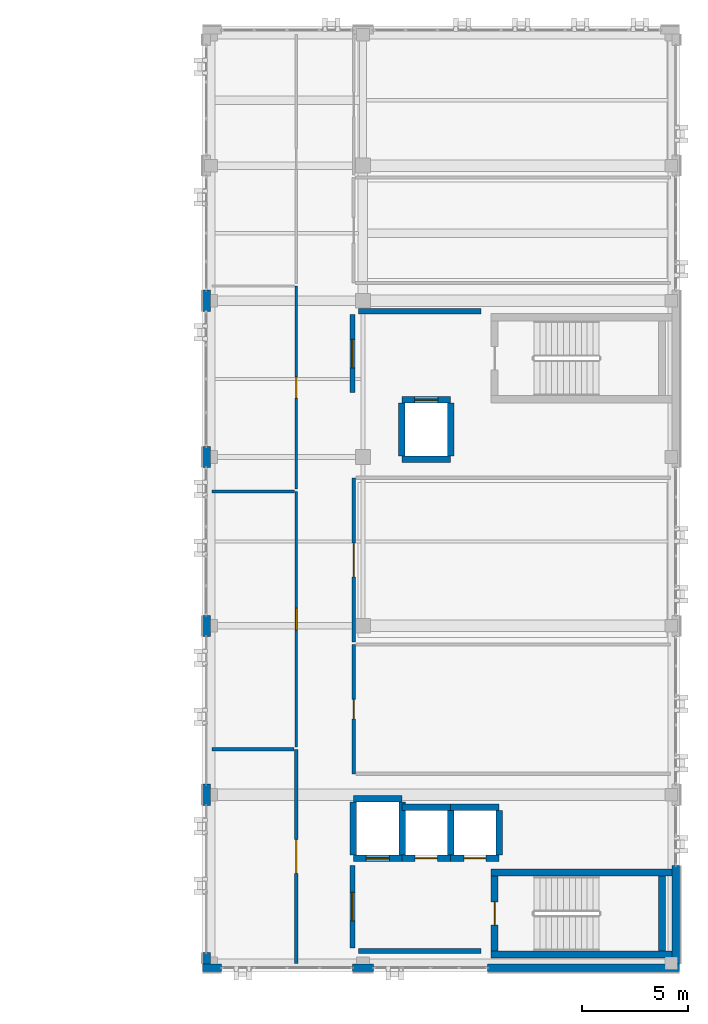
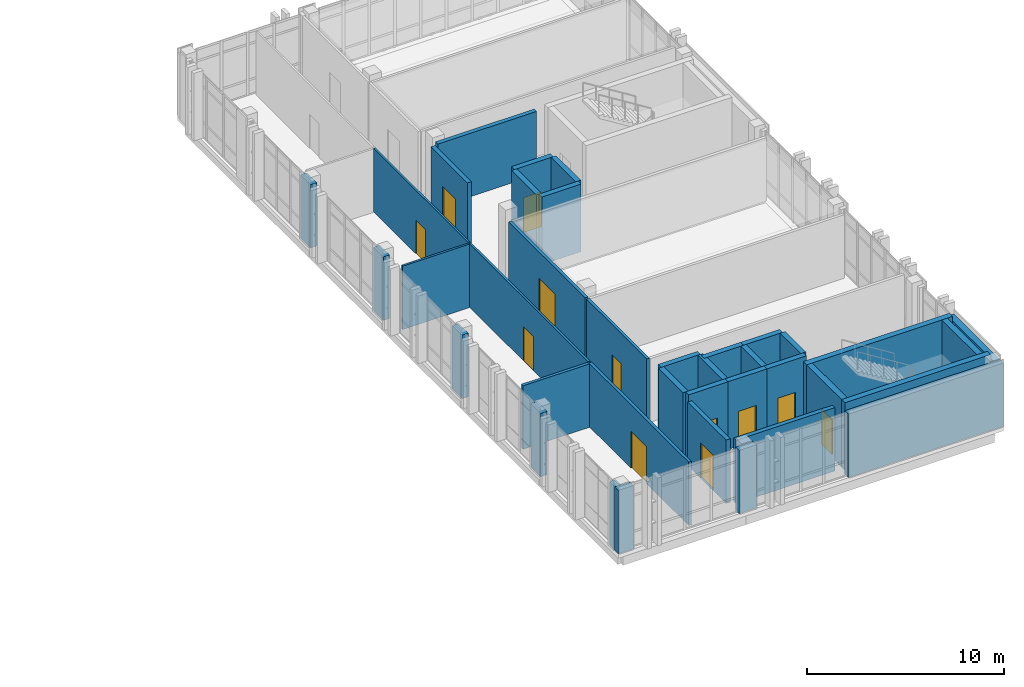
# One storey, part 61 of 77: 38 walls, 12 doors, 12 openings.
"""IFC4 building model written with IfcOpenShell, lengths in metres."""

from ifc_helpers import new_model, si_unit, direction, frame, frame_2d, origin, place, context, subcontext, project, spatial, rectangle, extrude, material, layer, layer_set, type_object, element, fill, save


model = new_model("IFC4")

# Units and contexts
model_context = context("Model", 3, precision=1e-05, world=origin(), true_north=direction((0.0, 1.0)))
body_context = subcontext(model_context, "Body", "Model", "MODEL_VIEW")
ifc_project = project(units=[si_unit("LENGTHUNIT", "METRE"), si_unit("AREAUNIT", "SQUARE_METRE"), si_unit("VOLUMEUNIT", "CUBIC_METRE"), si_unit("PLANEANGLEUNIT", "RADIAN"), si_unit("MASSUNIT", "GRAM", prefix="KILO")], contexts=[model_context])

# Site, building, storey
site_placement = place(None, origin())
site = spatial("IfcSite", under=ifc_project, at=site_placement, CompositionType="ELEMENT")
building_placement = place(site_placement, origin())
building = spatial("IfcBuilding", under=site, at=building_placement, Name="Qalavern Law Courts", CompositionType="ELEMENT")
storey_placement = place(building_placement, frame((0.0, 0.0, 27.0)))
storey = spatial("IfcBuildingStorey", under=building, at=storey_placement, Name="L06", CompositionType="ELEMENT", Elevation=27.0)

# Walls
ifc_material_1 = material(Name="Concrete C40/50", Category="concrete")
ifc_layer_1 = layer(ifc_material_1, 0.3701171875)
ifc_layer_set_1 = layer_set([ifc_layer_1], Name="Concrete C40/50")
wall_type_1 = type_object("IfcWallType", Name="ENV-EW-370", PredefinedType="SOLIDWALL", material=ifc_layer_set_1)
wall_1_placement = place(storey_placement, frame((84.199951171875, 41.205078125, 0.0), z_axis=(0.0, 0.0, 1.0), x_axis=(1.0, 0.0, 0.0)))
element("IfcWall", 1, at=wall_1_placement, inside=storey, type_object=wall_type_1, Name="V4 exterior pier wall L06 south 1", PredefinedType="SOLIDWALL", context=body_context, shape_type="SweptSolid", body=[
    extrude(rectangle(XDim=0.900146484375, YDim=0.3701171875, at=frame_2d((0.4501953125, 0.0))), origin(), (0.0, 0.0, 1.0), 3.93505859375),
])
wall_2_placement = place(storey_placement, frame((91.300048828125, 41.205078125, 0.0), z_axis=(0.0, 0.0, 1.0), x_axis=(1.0, 0.0, 0.0)))
element("IfcWall", 2, at=wall_2_placement, inside=storey, type_object=wall_type_1, Name="V4 exterior pier wall L06 south 2", PredefinedType="SOLIDWALL", context=body_context, shape_type="SweptSolid", body=[
    extrude(rectangle(XDim=1.0, YDim=0.3701171875, at=frame_2d((0.5, 0.0))), origin(), (0.0, 0.0, 1.0), 3.93505859375),
])
wall_3_placement = place(storey_placement, frame((97.699951171875, 41.205078125, 0.0), z_axis=(0.0, 0.0, 1.0), x_axis=(1.0, 0.0, 0.0)))
element("IfcWall", 3, at=wall_3_placement, inside=storey, type_object=wall_type_1, Name="V4 exterior pier wall L06 south 3", PredefinedType="SOLIDWALL", context=body_context, shape_type="SweptSolid", body=[
    extrude(rectangle(XDim=9.10009765625, YDim=0.3701171875, at=frame_2d((4.550048828125, 0.0))), origin(), (0.0, 0.0, 1.0), 3.93505859375),
])
wall_4_placement = place(storey_placement, frame((106.614990234375, 41.385009765625, 0.0), z_axis=(0.0, 0.0, 1.0), x_axis=(0.0, 1.0, 0.0)))
element("IfcWall", 4, at=wall_4_placement, inside=storey, type_object=wall_type_1, Name="V4 exterior pier wall L06 east 1", PredefinedType="SOLIDWALL", context=body_context, shape_type="SweptSolid", body=[
    extrude(rectangle(XDim=4.6650390625, YDim=0.3701171875, at=frame_2d((2.33251953125, 0.0))), origin(), (0.0, 0.0, 1.0), 3.93505859375),
])
for number, where, z_axis, x_axis, name in (
    (5, (84.385009765625, 73.300048828125, 0.0), (0.0, 0.0, 1.0), (0.0, -1.0, 0.0), "V4 exterior pier wall L06 west 3"),
    (6, (84.385009765625, 65.89990234375, 0.0), (0.0, 0.0, 1.0), (0.0, -1.0, 0.0), "V4 exterior pier wall L06 west 4"),
    (7, (84.385009765625, 57.89990234375, 0.0), (0.0, 0.0, 1.0), (0.0, -1.0, 0.0), "V4 exterior pier wall L06 west 5"),
    (8, (84.385009765625, 49.89990234375, 0.0), (0.0, 0.0, 1.0), (0.0, -1.0, 0.0), "V4 exterior pier wall L06 west 6"),
):
    element("IfcWall", number, at=place(storey_placement, frame(where, z_axis=z_axis, x_axis=x_axis)), inside=storey, type_object=wall_type_1, Name=name, PredefinedType="SOLIDWALL", context=body_context, shape_type="SweptSolid", body=[
        extrude(rectangle(XDim=1.0, YDim=0.3701171875, at=frame_2d((0.5, 0.0))), origin(), (0.0, 0.0, 1.0), 3.93505859375),
    ])
wall_5_placement = place(storey_placement, frame((84.385009765625, 41.93505859375, 0.0), z_axis=(0.0, 0.0, 1.0), x_axis=(0.0, -1.0, 0.0)))
element("IfcWall", 9, at=wall_5_placement, inside=storey, type_object=wall_type_1, Name="V4 exterior pier wall L06 west 7", PredefinedType="SOLIDWALL", context=body_context, shape_type="SweptSolid", body=[
    extrude(rectangle(XDim=0.550048828125, YDim=0.3701171875, at=frame_2d((0.27490234375, 0.0))), origin(), (0.0, 0.0, 1.0), 3.93505859375),
])
ifc_material_2 = material(Name="Concrete C45/55", Category="concrete")
ifc_layer_2 = layer(ifc_material_2, 0.3349609375)
ifc_layer_set_2 = layer_set([ifc_layer_2], Name="Concrete C45/55")
wall_type_2 = type_object("IfcWallType", Name="INT-CW-335", PredefinedType="SHEAR", material=ifc_layer_set_2)
wall_6_placement = place(storey_placement, frame((97.864990234375, 41.83251953125, 0.0), z_axis=(0.0, 0.0, 1.0), x_axis=(1.0, 0.0, 0.0)))
element("IfcWall", 10, at=wall_6_placement, inside=storey, type_object=wall_type_2, Name="Core K1A stair shear wall L06 south", PredefinedType="SHEAR", context=body_context, shape_type="SweptSolid", body=[
    extrude(rectangle(XDim=8.56201171875, YDim=0.3349609375, at=frame_2d((4.281005859375, 0.0))), origin(), (0.0, 0.0, 1.0), 4.199951171875),
])
wall_7_placement = place(storey_placement, frame((105.967529296875, 42.0, 0.0), z_axis=(0.0, 0.0, 1.0), x_axis=(0.0, 1.0, 0.0)))
element("IfcWall", 11, at=wall_7_placement, inside=storey, type_object=wall_type_2, Name="Core K1A stair shear wall L06 east", PredefinedType="SHEAR", context=body_context, shape_type="SweptSolid", body=[
    extrude(rectangle(XDim=3.550048828125, YDim=0.3349609375, at=frame_2d((1.77490234375, 0.0))), origin(), (0.0, 0.0, 1.0), 4.199951171875),
])
wall_8_placement = place(storey_placement, frame((106.427001953125, 45.717529296875, 0.0), z_axis=(0.0, 0.0, 1.0), x_axis=(-1.0, 0.0, 0.0)))
element("IfcWall", 12, at=wall_8_placement, inside=storey, type_object=wall_type_2, Name="Core K1A stair shear wall L06 north", PredefinedType="SHEAR", context=body_context, shape_type="SweptSolid", body=[
    extrude(rectangle(XDim=8.56201171875, YDim=0.3349609375, at=frame_2d((4.281005859375, 0.0))), origin(), (0.0, 0.0, 1.0), 4.199951171875),
])

# Wall, opening, door
wall_9_placement = place(storey_placement, frame((98.032470703125, 45.550048828125, 0.0), z_axis=(0.0, 0.0, 1.0), x_axis=(0.0, -1.0, 0.0)))
wall_9 = element("IfcWall", 13, at=wall_9_placement, inside=storey, type_object=wall_type_2, Name="Core K1A stair shear wall L06 west", PredefinedType="SHEAR", context=body_context, shape_type="SweptSolid", body=[
    extrude(rectangle(XDim=3.550048828125, YDim=0.3349609375, at=frame_2d((1.77490234375, 0.0))), origin(), (0.0, 0.0, 1.0), 4.199951171875),
])
opening_1_placement = place(wall_9_placement, frame((1.22509765625, 0.0, 0.0)))
opening_1 = element("IfcOpeningElement", 14, at=opening_1_placement, cuts=wall_9, Name="Opening L06-D017", PredefinedType="OPENING", context=body_context, shape_type="SweptSolid", body=[
    extrude(rectangle(XDim=1.10009765625, YDim=2.14990234375, at=frame_2d((0.550048828125, 1.074951171875))), frame((0.0, 0.182373046875, 0.0), z_axis=(0.0, -1.0, 0.0), x_axis=(1.0, 0.0, 0.0)), (0.0, 0.0, 1.0), 0.36474609375),
])
ifc_material_3 = material(Name="Steel fire-rated stair enclosure door", Category="steel")
door_type_1 = type_object("IfcDoorType", Name="INT-FD-1100x2150", OperationType="NOTDEFINED", PredefinedType="DOOR", material=ifc_material_3)
door_1_placement = place(opening_1_placement, frame((1.10009765625, 0.0, 0.0), z_axis=(0.0, 0.0, 1.0), x_axis=(-1.0, 0.0, 0.0)))
door_1 = element("IfcDoor", 15, at=door_1_placement, inside=storey, type_object=door_type_1, Name="Stair K1A fire door L06", OperationType="SINGLE_SWING_LEFT", OverallHeight=2.14990234375, OverallWidth=1.10009765625, PredefinedType="DOOR", context=body_context, shape_type="SweptSolid", body=[
    extrude(rectangle(XDim=1.10009765625, YDim=2.14990234375, at=frame_2d((0.550048828125, 1.074951171875))), frame((0.0, 0.02490234375, 0.0), z_axis=(0.0, -1.0, 0.0), x_axis=(1.0, 0.0, 0.0)), (0.0, 0.0, 1.0), 0.050048828125),
])
fill(opening_1, door_1)

ifc_layer_3 = layer(ifc_material_1, 0.2451171875)
ifc_layer_set_3 = layer_set([ifc_layer_3], Name="Concrete C40/50")
wall_type_3 = type_object("IfcWallType", Name="INT-FW-245", PredefinedType="PARTITIONING", material=ifc_layer_set_3)
wall_10_placement = place(storey_placement, frame((91.300048828125, 42.14990234375, 0.0), z_axis=(0.0, 0.0, 1.0), x_axis=(0.0, 1.0, 0.0)))
wall_10 = element("IfcWall", 16, at=wall_10_placement, inside=storey, type_object=wall_type_3, Name="Core K1A firefighting/stair lobby fire wall L06", PredefinedType="PARTITIONING", context=body_context, shape_type="SweptSolid", body=[
    extrude(rectangle(XDim=3.900146484375, YDim=0.2451171875, at=frame_2d((1.9501953125, 0.0))), origin(), (0.0, 0.0, 1.0), 3.93505859375),
])
opening_2_placement = place(wall_10_placement, frame((1.27490234375, 0.0, 0.0)))
opening_2 = element("IfcOpeningElement", 17, at=opening_2_placement, cuts=wall_10, Name="Opening L06-D018", PredefinedType="OPENING", context=body_context, shape_type="SweptSolid", body=[
    extrude(rectangle(XDim=1.35009765625, YDim=2.199951171875, at=frame_2d((0.675048828125, 1.10009765625))), frame((0.0, 0.137451171875, 0.0), z_axis=(0.0, -1.0, 0.0), x_axis=(1.0, 0.0, 0.0)), (0.0, 0.0, 1.0), 0.27490234375),
])
ifc_material_4 = material(Name="Steel fire-rated frame and acoustic timber leaves", Category="steel")
door_type_2 = type_object("IfcDoorType", Name="INT-FD-1350x2200", OperationType="DOUBLE_DOOR_SINGLE_SWING", PredefinedType="DOOR", material=ifc_material_4)
door_2_placement = place(opening_2_placement, origin())
door_2 = element("IfcDoor", 18, at=door_2_placement, inside=storey, type_object=door_type_2, Name="Core K1A lobby fire door L06", OperationType="DOUBLE_DOOR_SINGLE_SWING", OverallHeight=2.199951171875, OverallWidth=1.35009765625, PredefinedType="DOOR", context=body_context, shape_type="SweptSolid", body=[
    extrude(rectangle(XDim=1.35009765625, YDim=2.199951171875, at=frame_2d((0.675048828125, 1.10009765625))), frame((0.0, 0.02490234375, 0.0), z_axis=(0.0, -1.0, 0.0), x_axis=(1.0, 0.0, 0.0)), (0.0, 0.0, 1.0), 0.050048828125),
])
fill(opening_2, door_2)

# Wall
wall_11_placement = place(storey_placement, frame((91.60009765625, 42.0, 0.0), z_axis=(0.0, 0.0, 1.0), x_axis=(1.0, 0.0, 0.0)))
element("IfcWall", 19, at=wall_11_placement, inside=storey, type_object=wall_type_3, Name="Core K1A lobby return wall L06 south", PredefinedType="PARTITIONING", context=body_context, shape_type="SweptSolid", body=[
    extrude(rectangle(XDim=5.7998046875, YDim=0.2451171875, at=frame_2d((2.89990234375, 0.0))), origin(), (0.0, 0.0, 1.0), 3.93505859375),
])

# Wall, opening, door
wall_12_placement = place(storey_placement, frame((91.300048828125, 68.449951171875, 0.0), z_axis=(0.0, 0.0, 1.0), x_axis=(0.0, 1.0, 0.0)))
wall_12 = element("IfcWall", 20, at=wall_12_placement, inside=storey, type_object=wall_type_3, Name="Core K1B firefighting/stair lobby fire wall L06", PredefinedType="PARTITIONING", context=body_context, shape_type="SweptSolid", body=[
    extrude(rectangle(XDim=3.699951171875, YDim=0.2451171875, at=frame_2d((1.85009765625, 0.0))), origin(), (0.0, 0.0, 1.0), 3.93505859375),
])
opening_3_placement = place(wall_12_placement, frame((1.175048828125, 0.0, 0.0)))
opening_3 = element("IfcOpeningElement", 21, at=opening_3_placement, cuts=wall_12, Name="Opening L06-D042", PredefinedType="OPENING", context=body_context, shape_type="SweptSolid", body=[
    extrude(rectangle(XDim=1.35009765625, YDim=2.199951171875, at=frame_2d((0.675048828125, 1.10009765625))), frame((0.0, 0.137451171875, 0.0), z_axis=(0.0, -1.0, 0.0), x_axis=(1.0, 0.0, 0.0)), (0.0, 0.0, 1.0), 0.27490234375),
])
door_3_placement = place(opening_3_placement, origin())
door_3 = element("IfcDoor", 22, at=door_3_placement, inside=storey, type_object=door_type_2, Name="Core K1B lobby fire door L06", OperationType="DOUBLE_DOOR_SINGLE_SWING", OverallHeight=2.199951171875, OverallWidth=1.35009765625, PredefinedType="DOOR", context=body_context, shape_type="SweptSolid", body=[
    extrude(rectangle(XDim=1.35009765625, YDim=2.199951171875, at=frame_2d((0.675048828125, 1.10009765625))), frame((0.0, 0.02490234375, 0.0), z_axis=(0.0, -1.0, 0.0), x_axis=(1.0, 0.0, 0.0)), (0.0, 0.0, 1.0), 0.050048828125),
])
fill(opening_3, door_3)

# Wall
wall_13_placement = place(storey_placement, frame((91.60009765625, 72.300048828125, 0.0), z_axis=(0.0, 0.0, 1.0), x_axis=(1.0, 0.0, 0.0)))
element("IfcWall", 23, at=wall_13_placement, inside=storey, type_object=wall_type_3, Name="Core K1B lobby return wall L06 north", PredefinedType="PARTITIONING", context=body_context, shape_type="SweptSolid", body=[
    extrude(rectangle(XDim=5.7998046875, YDim=0.2451171875, at=frame_2d((2.89990234375, 0.0))), origin(), (0.0, 0.0, 1.0), 3.93505859375),
])

# Wall, opening, door
ifc_material_5 = material(Name="Gypsum stud partition")
ifc_layer_4 = layer(ifc_material_5, 0.112060546875)
ifc_layer_set_4 = layer_set([ifc_layer_4], Name="Gypsum stud partition")
wall_type_4 = type_object("IfcWallType", Name="INT-PW-112", PredefinedType="PARTITIONING", material=ifc_layer_set_4)
wall_14_placement = place(storey_placement, frame((88.639892578125, 63.882080078125, 0.0), z_axis=(0.0, 0.0, 1.0), x_axis=(0.0, 1.0, 0.0)))
wall_14 = element("IfcWall", 24, at=wall_14_placement, inside=storey, type_object=wall_type_4, Name="Judicial Conference Room corridor partition L06", PredefinedType="PARTITIONING", context=body_context, shape_type="SweptSolid", body=[
    extrude(rectangle(XDim=9.617919921875, YDim=0.112060546875, at=frame_2d((4.80908203125, 0.0))), origin(), (0.0, 0.0, 1.0), 3.93505859375),
])
opening_4_placement = place(wall_14_placement, frame((4.30908203125, 0.0, 0.0)))
opening_4 = element("IfcOpeningElement", 25, at=opening_4_placement, cuts=wall_14, Name="Opening L06-D304", PredefinedType="OPENING", context=body_context, shape_type="SweptSolid", body=[
    extrude(rectangle(XDim=1.0, YDim=2.10009765625, at=frame_2d((0.5, 1.050048828125))), frame((0.0, 0.07080078125, 0.0), z_axis=(0.0, -1.0, 0.0), x_axis=(1.0, 0.0, 0.0)), (0.0, 0.0, 1.0), 0.141845703125),
])
ifc_material_6 = material(Name="Timber Judicial Clerks' Office door", Category="wood")
door_type_3 = type_object("IfcDoorType", Name="INT-ID-1000x2100", OperationType="NOTDEFINED", PredefinedType="DOOR", material=ifc_material_6)
door_4_placement = place(opening_4_placement, frame((1.0, 0.0, 0.0), z_axis=(0.0, 0.0, 1.0), x_axis=(-1.0, 0.0, 0.0)))
door_4 = element("IfcDoor", 26, at=door_4_placement, inside=storey, type_object=door_type_3, Name="Judicial Conference Room door L06", OperationType="SINGLE_SWING_RIGHT", OverallHeight=2.10009765625, OverallWidth=1.0, PredefinedType="DOOR", context=body_context, shape_type="SweptSolid", body=[
    extrude(rectangle(XDim=1.0, YDim=2.10009765625, at=frame_2d((0.5, 1.050048828125))), frame((0.0, 0.02490234375, 0.0), z_axis=(0.0, -1.0, 0.0), x_axis=(1.0, 0.0, 0.0)), (0.0, 0.0, 1.0), 0.050048828125),
])
fill(opening_4, door_4)

ifc_layer_5 = layer(ifc_material_5, 0.1220703125)
ifc_layer_set_5 = layer_set([ifc_layer_5], Name="Gypsum stud partition")
wall_type_5 = type_object("IfcWallType", Name="INT-PW-122", PredefinedType="PARTITIONING", material=ifc_layer_set_5)
wall_15_placement = place(storey_placement, frame((88.639892578125, 51.669921875, 0.0), z_axis=(0.0, 0.0, 1.0), x_axis=(0.0, 1.0, 0.0)))
wall_15 = element("IfcWall", 27, at=wall_15_placement, inside=storey, type_object=wall_type_5, Name="Appellate Panel Chambers corridor partition L06", PredefinedType="PARTITIONING", context=body_context, shape_type="SweptSolid", body=[
    extrude(rectangle(XDim=12.092041015625, YDim=0.1220703125, at=frame_2d((6.0458984375, 0.0))), origin(), (0.0, 0.0, 1.0), 3.93505859375),
])
opening_5_placement = place(wall_15_placement, frame((5.531005859375, 0.0, 0.0)))
opening_5 = element("IfcOpeningElement", 28, at=opening_5_placement, cuts=wall_15, Name="Opening L06-D303", PredefinedType="OPENING", context=body_context, shape_type="SweptSolid", body=[
    extrude(rectangle(XDim=1.030029296875, YDim=2.110107421875, at=frame_2d((0.51513671875, 1.05517578125))), frame((0.0, 0.075927734375, 0.0), z_axis=(0.0, -1.0, 0.0), x_axis=(1.0, 0.0, 0.0)), (0.0, 0.0, 1.0), 0.15185546875),
])
ifc_material_7 = material(Name="Oak Mediation Suite door")
door_type_4 = type_object("IfcDoorType", Name="INT-ID-1030x2110", OperationType="NOTDEFINED", PredefinedType="DOOR", material=ifc_material_7)
door_5_placement = place(opening_5_placement, frame((1.030029296875, 0.0, 0.0), z_axis=(0.0, 0.0, 1.0), x_axis=(-1.0, 0.0, 0.0)))
door_5 = element("IfcDoor", 29, at=door_5_placement, inside=storey, type_object=door_type_4, Name="Appellate Panel Chambers door L06", OperationType="SINGLE_SWING_LEFT", OverallHeight=2.110107421875, OverallWidth=1.030029296875, PredefinedType="DOOR", context=body_context, shape_type="SweptSolid", body=[
    extrude(rectangle(XDim=1.030029296875, YDim=2.110107421875, at=frame_2d((0.51513671875, 1.05517578125))), frame((0.0, 0.02490234375, 0.0), z_axis=(0.0, -1.0, 0.0), x_axis=(1.0, 0.0, 0.0)), (0.0, 0.0, 1.0), 0.050048828125),
])
fill(opening_5, door_5)

# Wall
wall_16_placement = place(storey_placement, frame((84.639892578125, 63.761962890625, 0.0), z_axis=(0.0, 0.0, 1.0), x_axis=(1.0, 0.0, 0.0)))
element("IfcWall", 30, at=wall_16_placement, inside=storey, type_object=wall_type_5, Name="Appellate Panel Chambers cross partition L06 north", PredefinedType="PARTITIONING", context=body_context, shape_type="SweptSolid", body=[
    extrude(rectangle(XDim=3.919189453125, YDim=0.1220703125, at=frame_2d((1.95947265625, 0.0))), origin(), (0.0, 0.0, 1.0), 3.93505859375),
])

# Wall, opening, door
ifc_layer_6 = layer(ifc_material_5, 0.162109375)
ifc_layer_set_6 = layer_set([ifc_layer_6], Name="Gypsum stud partition")
wall_type_6 = type_object("IfcWallType", Name="INT-PW-162", PredefinedType="PARTITIONING", material=ifc_layer_set_6)
wall_17_placement = place(storey_placement, frame((91.360107421875, 50.389892578125, 0.0), z_axis=(0.0, 0.0, 1.0), x_axis=(0.0, 1.0, 0.0)))
wall_17 = element("IfcWall", 31, at=wall_17_placement, inside=storey, type_object=wall_type_6, Name="Accessible WC corridor partition L06", PredefinedType="PARTITIONING", context=body_context, shape_type="SweptSolid", body=[
    extrude(rectangle(XDim=6.125, YDim=0.162109375, at=frame_2d((3.0625, 0.0))), origin(), (0.0, 0.0, 1.0), 3.93505859375),
])
opening_6_placement = place(wall_17_placement, frame((2.6025390625, 0.0, 0.0)))
opening_6 = element("IfcOpeningElement", 32, at=opening_6_placement, cuts=wall_17, Name="Opening L06-D306", PredefinedType="OPENING", context=body_context, shape_type="SweptSolid", body=[
    extrude(rectangle(XDim=0.919921875, YDim=2.06005859375, at=frame_2d((0.4599609375, 1.030029296875))), frame((0.0, 0.095947265625, 0.0), z_axis=(0.0, -1.0, 0.0), x_axis=(1.0, 0.0, 0.0)), (0.0, 0.0, 1.0), 0.19189453125),
])
ifc_material_8 = material(Name="Public and Staff WC door")
door_type_5 = type_object("IfcDoorType", Name="INT-ID-920x2060", OperationType="NOTDEFINED", PredefinedType="DOOR", material=ifc_material_8)
door_6_placement = place(opening_6_placement, origin())
door_6 = element("IfcDoor", 33, at=door_6_placement, inside=storey, type_object=door_type_5, Name="Accessible WC door L06", OperationType="SINGLE_SWING_RIGHT", OverallHeight=2.06005859375, OverallWidth=0.919921875, PredefinedType="DOOR", context=body_context, shape_type="SweptSolid", body=[
    extrude(rectangle(XDim=0.919921875, YDim=2.06005859375, at=frame_2d((0.4599609375, 1.030029296875))), frame((0.0, 0.02490234375, 0.0), z_axis=(0.0, -1.0, 0.0), x_axis=(1.0, 0.0, 0.0)), (0.0, 0.0, 1.0), 0.050048828125),
])
fill(opening_6, door_6)

ifc_material_9 = material(Name="Gypsum acoustic stud partition")
ifc_layer_7 = layer(ifc_material_9, 0.174072265625)
ifc_layer_set_7 = layer_set([ifc_layer_7], Name="Gypsum acoustic stud partition")
wall_type_7 = type_object("IfcWallType", Name="INT-PW-174", PredefinedType="PARTITIONING", material=ifc_layer_set_7)
wall_18_placement = place(storey_placement, frame((88.639892578125, 41.39990234375, 0.0), z_axis=(0.0, 0.0, 1.0), x_axis=(0.0, 1.0, 0.0)))
wall_18 = element("IfcWall", 34, at=wall_18_placement, inside=storey, type_object=wall_type_7, Name="Commercial Courtroom corridor partition L06", PredefinedType="PARTITIONING", context=body_context, shape_type="SweptSolid", body=[
    extrude(rectangle(XDim=10.150146484375, YDim=0.174072265625, at=frame_2d((5.0751953125, 0.0))), origin(), (0.0, 0.0, 1.0), 3.93505859375),
])
opening_7_placement = place(wall_18_placement, frame((4.27490234375, 0.0, 0.0)))
opening_7 = element("IfcOpeningElement", 35, at=opening_7_placement, cuts=wall_18, Name="Opening L06-D302", PredefinedType="OPENING", context=body_context, shape_type="SweptSolid", body=[
    extrude(rectangle(XDim=1.60009765625, YDim=2.300048828125, at=frame_2d((0.800048828125, 1.14990234375))), frame((0.0, 0.10205078125, 0.0), z_axis=(0.0, -1.0, 0.0), x_axis=(1.0, 0.0, 0.0)), (0.0, 0.0, 1.0), 0.203857421875),
])
ifc_material_10 = material(Name="Acoustic oak double Criminal Courtroom door")
door_type_6 = type_object("IfcDoorType", Name="INT-ID-1600x2300", OperationType="DOUBLE_DOOR_SINGLE_SWING", PredefinedType="DOOR", material=ifc_material_10)
door_7_placement = place(opening_7_placement, frame((1.60009765625, 0.0, 0.0), z_axis=(0.0, 0.0, 1.0), x_axis=(-1.0, 0.0, 0.0)))
door_7 = element("IfcDoor", 36, at=door_7_placement, inside=storey, type_object=door_type_6, Name="Commercial Courtroom door L06", OperationType="DOUBLE_DOOR_SINGLE_SWING", OverallHeight=2.300048828125, OverallWidth=1.60009765625, PredefinedType="DOOR", context=body_context, shape_type="SweptSolid", body=[
    extrude(rectangle(XDim=1.60009765625, YDim=2.300048828125, at=frame_2d((0.800048828125, 1.14990234375))), frame((0.0, 0.02490234375, 0.0), z_axis=(0.0, -1.0, 0.0), x_axis=(1.0, 0.0, 0.0)), (0.0, 0.0, 1.0), 0.050048828125),
])
fill(opening_7, door_7)

# Wall
wall_19_placement = place(storey_placement, frame((84.639892578125, 51.550048828125, 0.0), z_axis=(0.0, 0.0, 1.0), x_axis=(1.0, 0.0, 0.0)))
element("IfcWall", 37, at=wall_19_placement, inside=storey, type_object=wall_type_7, Name="Commercial Courtroom cross partition L06 north", PredefinedType="PARTITIONING", context=body_context, shape_type="SweptSolid", body=[
    extrude(rectangle(XDim=3.89306640625, YDim=0.174072265625, at=frame_2d((1.946533203125, 0.0))), origin(), (0.0, 0.0, 1.0), 3.93505859375),
])

# Wall, opening, door
wall_20_placement = place(storey_placement, frame((91.360107421875, 56.635009765625, 0.0), z_axis=(0.0, 0.0, 1.0), x_axis=(0.0, 1.0, 0.0)))
wall_20 = element("IfcWall", 38, at=wall_20_placement, inside=storey, type_object=wall_type_7, Name="Commercial Courtroom corridor partition L06", PredefinedType="PARTITIONING", context=body_context, shape_type="SweptSolid", body=[
    extrude(rectangle(XDim=7.77490234375, YDim=0.174072265625, at=frame_2d((3.887451171875, 0.0))), origin(), (0.0, 0.0, 1.0), 3.93505859375),
])
opening_8_placement = place(wall_20_placement, frame((3.08740234375, 0.0, 0.0)))
opening_8 = element("IfcOpeningElement", 39, at=opening_8_placement, cuts=wall_20, Name="Opening L06-D307", PredefinedType="OPENING", context=body_context, shape_type="SweptSolid", body=[
    extrude(rectangle(XDim=1.60009765625, YDim=2.300048828125, at=frame_2d((0.800048828125, 1.14990234375))), frame((0.0, 0.10205078125, 0.0), z_axis=(0.0, -1.0, 0.0), x_axis=(1.0, 0.0, 0.0)), (0.0, 0.0, 1.0), 0.203857421875),
])
door_8_placement = place(opening_8_placement, origin())
door_8 = element("IfcDoor", 40, at=door_8_placement, inside=storey, type_object=door_type_6, Name="Commercial Courtroom door L06", OperationType="DOUBLE_DOOR_SINGLE_SWING", OverallHeight=2.300048828125, OverallWidth=1.60009765625, PredefinedType="DOOR", context=body_context, shape_type="SweptSolid", body=[
    extrude(rectangle(XDim=1.60009765625, YDim=2.300048828125, at=frame_2d((0.800048828125, 1.14990234375))), frame((0.0, 0.02490234375, 0.0), z_axis=(0.0, -1.0, 0.0), x_axis=(1.0, 0.0, 0.0)), (0.0, 0.0, 1.0), 0.050048828125),
])
fill(opening_8, door_8)

ifc_layer_8 = layer(ifc_material_2, 0.304931640625)
ifc_layer_set_8 = layer_set([ifc_layer_8], Name="Concrete C45/55")
wall_type_8 = type_object("IfcWallType", Name="INT-SW-305", PredefinedType="SHEAR", material=ifc_layer_set_8)
wall_21_placement = place(storey_placement, frame((91.347412109375, 46.3974609375, 0.0), z_axis=(0.0, 0.0, 1.0), x_axis=(1.0, 0.0, 0.0)))
wall_21 = element("IfcWall", 41, at=wall_21_placement, inside=storey, type_object=wall_type_8, Name="Lift LF-FF1 shaft wall L06 south", PredefinedType="SHEAR", context=body_context, shape_type="SweptSolid", body=[
    extrude(rectangle(XDim=2.30517578125, YDim=0.304931640625, at=frame_2d((1.152587890625, 0.0))), origin(), (0.0, 0.0, 1.0), 4.199951171875),
])
opening_9_placement = place(wall_21_placement, frame((0.6025390625, 0.0, 0.0)))
opening_9 = element("IfcOpeningElement", 42, at=opening_9_placement, cuts=wall_21, Name="Opening LD-LF-FF1-L06", PredefinedType="OPENING", context=body_context, shape_type="SweptSolid", body=[
    extrude(rectangle(XDim=1.10009765625, YDim=2.159912109375, at=frame_2d((0.550048828125, 1.080078125))), frame((0.0, 0.16748046875, 0.0), z_axis=(0.0, -1.0, 0.0), x_axis=(1.0, 0.0, 0.0)), (0.0, 0.0, 1.0), 0.334716796875),
])
ifc_material_11 = material(Name="Stainless steel firefighting lift sliding landing door", Category="steel")
door_type_7 = type_object("IfcDoorType", Name="INT-LD-1100x2160", OperationType="DOUBLE_DOOR_SLIDING", PredefinedType="DOOR", material=ifc_material_11)
door_9_placement = place(opening_9_placement, origin())
door_9 = element("IfcDoor", 43, at=door_9_placement, inside=storey, type_object=door_type_7, Name="Lift LF-FF1 sliding landing door L06", OperationType="DOUBLE_DOOR_SLIDING", OverallHeight=2.159912109375, OverallWidth=1.10009765625, PredefinedType="DOOR", context=body_context, shape_type="SweptSolid", body=[
    extrude(rectangle(XDim=1.10009765625, YDim=2.159912109375, at=frame_2d((0.550048828125, 1.080078125))), frame((0.0, 0.02490234375, 0.0), z_axis=(0.0, -1.0, 0.0), x_axis=(1.0, 0.0, 0.0)), (0.0, 0.0, 1.0), 0.050048828125),
])
fill(opening_9, door_9)

# Walls
wall_22_placement = place(storey_placement, frame((93.652587890625, 46.550048828125, 0.0), z_axis=(0.0, 0.0, 1.0), x_axis=(0.0, 1.0, 0.0)))
element("IfcWall", 44, at=wall_22_placement, inside=storey, type_object=wall_type_8, Name="Lift LF-FF1 shaft wall L06 east", PredefinedType="SHEAR", context=body_context, shape_type="SweptSolid", body=[
    extrude(rectangle(XDim=2.5, YDim=0.304931640625, at=frame_2d((1.25, 0.0))), origin(), (0.0, 0.0, 1.0), 4.199951171875),
])
wall_23_placement = place(storey_placement, frame((93.652587890625, 49.202392578125, 0.0), z_axis=(0.0, 0.0, 1.0), x_axis=(-1.0, 0.0, 0.0)))
element("IfcWall", 45, at=wall_23_placement, inside=storey, type_object=wall_type_8, Name="Lift LF-FF1 shaft wall L06 north", PredefinedType="SHEAR", context=body_context, shape_type="SweptSolid", body=[
    extrude(rectangle(XDim=2.30517578125, YDim=0.304931640625, at=frame_2d((1.152587890625, 0.0))), origin(), (0.0, 0.0, 1.0), 4.199951171875),
])
wall_24_placement = place(storey_placement, frame((91.347412109375, 49.050048828125, 0.0), z_axis=(0.0, 0.0, 1.0), x_axis=(0.0, -1.0, 0.0)))
element("IfcWall", 46, at=wall_24_placement, inside=storey, type_object=wall_type_8, Name="Lift LF-FF1 shaft wall L06 west", PredefinedType="SHEAR", context=body_context, shape_type="SweptSolid", body=[
    extrude(rectangle(XDim=2.5, YDim=0.304931640625, at=frame_2d((1.25, 0.0))), origin(), (0.0, 0.0, 1.0), 4.199951171875),
])

# Wall, opening, door
wall_25_placement = place(storey_placement, frame((93.6474609375, 46.3974609375, 0.0), z_axis=(0.0, 0.0, 1.0), x_axis=(1.0, 0.0, 0.0)))
wall_25 = element("IfcWall", 47, at=wall_25_placement, inside=storey, type_object=wall_type_8, Name="Lift LF-P1 shaft wall L06 south", PredefinedType="SHEAR", context=body_context, shape_type="SweptSolid", body=[
    extrude(rectangle(XDim=2.304931640625, YDim=0.304931640625, at=frame_2d((1.15234375, 0.0))), origin(), (0.0, 0.0, 1.0), 4.199951171875),
])
opening_10_placement = place(wall_25_placement, frame((0.62744140625, 0.0, 0.0)))
opening_10 = element("IfcOpeningElement", 48, at=opening_10_placement, cuts=wall_25, Name="Opening LD-LF-P1-L06", PredefinedType="OPENING", context=body_context, shape_type="SweptSolid", body=[
    extrude(rectangle(XDim=1.050048828125, YDim=2.14990234375, at=frame_2d((0.52490234375, 1.074951171875))), frame((0.0, 0.16748046875, 0.0), z_axis=(0.0, -1.0, 0.0), x_axis=(1.0, 0.0, 0.0)), (0.0, 0.0, 1.0), 0.334716796875),
])
ifc_material_12 = material(Name="Brushed stainless steel passenger lift sliding landing door", Category="steel")
door_type_8 = type_object("IfcDoorType", Name="INT-LD-1050x2150", OperationType="DOUBLE_DOOR_SLIDING", PredefinedType="DOOR", material=ifc_material_12)
door_10_placement = place(opening_10_placement, origin())
door_10 = element("IfcDoor", 49, at=door_10_placement, inside=storey, type_object=door_type_8, Name="Lift LF-P1 sliding landing door L06", OperationType="DOUBLE_DOOR_SLIDING", OverallHeight=2.14990234375, OverallWidth=1.050048828125, PredefinedType="DOOR", context=body_context, shape_type="SweptSolid", body=[
    extrude(rectangle(XDim=1.050048828125, YDim=2.14990234375, at=frame_2d((0.52490234375, 1.074951171875))), frame((0.0, 0.02490234375, 0.0), z_axis=(0.0, -1.0, 0.0), x_axis=(1.0, 0.0, 0.0)), (0.0, 0.0, 1.0), 0.050048828125),
])
fill(opening_10, door_10)

# Walls
wall_26_placement = place(storey_placement, frame((95.952392578125, 46.550048828125, 0.0), z_axis=(0.0, 0.0, 1.0), x_axis=(0.0, 1.0, 0.0)))
element("IfcWall", 50, at=wall_26_placement, inside=storey, type_object=wall_type_8, Name="Lift LF-P1 shaft wall L06 east", PredefinedType="SHEAR", context=body_context, shape_type="SweptSolid", body=[
    extrude(rectangle(XDim=2.099853515625, YDim=0.304931640625, at=frame_2d((1.0498046875, 0.0))), origin(), (0.0, 0.0, 1.0), 4.199951171875),
])
wall_27_placement = place(storey_placement, frame((95.952392578125, 48.802490234375, 0.0), z_axis=(0.0, 0.0, 1.0), x_axis=(-1.0, 0.0, 0.0)))
element("IfcWall", 51, at=wall_27_placement, inside=storey, type_object=wall_type_8, Name="Lift LF-P1 shaft wall L06 north", PredefinedType="SHEAR", context=body_context, shape_type="SweptSolid", body=[
    extrude(rectangle(XDim=2.304931640625, YDim=0.304931640625, at=frame_2d((1.15234375, 0.0))), origin(), (0.0, 0.0, 1.0), 4.199951171875),
])

# Wall, opening, door
wall_28_placement = place(storey_placement, frame((95.947509765625, 46.3974609375, 0.0), z_axis=(0.0, 0.0, 1.0), x_axis=(1.0, 0.0, 0.0)))
wall_28 = element("IfcWall", 52, at=wall_28_placement, inside=storey, type_object=wall_type_8, Name="Lift LF-P2 shaft wall L06 south", PredefinedType="SHEAR", context=body_context, shape_type="SweptSolid", body=[
    extrude(rectangle(XDim=2.304931640625, YDim=0.304931640625, at=frame_2d((1.15234375, 0.0))), origin(), (0.0, 0.0, 1.0), 4.199951171875),
])
opening_11_placement = place(wall_28_placement, frame((0.62744140625, 0.0, 0.0)))
opening_11 = element("IfcOpeningElement", 53, at=opening_11_placement, cuts=wall_28, Name="Opening LD-LF-P2-L06", PredefinedType="OPENING", context=body_context, shape_type="SweptSolid", body=[
    extrude(rectangle(XDim=1.050048828125, YDim=2.14990234375, at=frame_2d((0.52490234375, 1.074951171875))), frame((0.0, 0.16748046875, 0.0), z_axis=(0.0, -1.0, 0.0), x_axis=(1.0, 0.0, 0.0)), (0.0, 0.0, 1.0), 0.334716796875),
])
door_11_placement = place(opening_11_placement, origin())
door_11 = element("IfcDoor", 54, at=door_11_placement, inside=storey, type_object=door_type_8, Name="Lift LF-P2 sliding landing door L06", OperationType="DOUBLE_DOOR_SLIDING", OverallHeight=2.14990234375, OverallWidth=1.050048828125, PredefinedType="DOOR", context=body_context, shape_type="SweptSolid", body=[
    extrude(rectangle(XDim=1.050048828125, YDim=2.14990234375, at=frame_2d((0.52490234375, 1.074951171875))), frame((0.0, 0.02490234375, 0.0), z_axis=(0.0, -1.0, 0.0), x_axis=(1.0, 0.0, 0.0)), (0.0, 0.0, 1.0), 0.050048828125),
])
fill(opening_11, door_11)

# Walls
wall_29_placement = place(storey_placement, frame((98.25244140625, 46.550048828125, 0.0), z_axis=(0.0, 0.0, 1.0), x_axis=(0.0, 1.0, 0.0)))
element("IfcWall", 55, at=wall_29_placement, inside=storey, type_object=wall_type_8, Name="Lift LF-P2 shaft wall L06 east", PredefinedType="SHEAR", context=body_context, shape_type="SweptSolid", body=[
    extrude(rectangle(XDim=2.099853515625, YDim=0.304931640625, at=frame_2d((1.0498046875, 0.0))), origin(), (0.0, 0.0, 1.0), 4.199951171875),
])
for number, where, z_axis, x_axis, name in (
    (56, (98.25244140625, 48.802490234375, 0.0), (0.0, 0.0, 1.0), (-1.0, 0.0, 0.0), "Lift LF-P2 shaft wall L06 north"),
    (57, (93.6474609375, 65.297607421875, 0.0), (0.0, 0.0, 1.0), (1.0, 0.0, 0.0), "Lift LF-FF2 shaft wall L06 south"),
):
    element("IfcWall", number, at=place(storey_placement, frame(where, z_axis=z_axis, x_axis=x_axis)), inside=storey, type_object=wall_type_8, Name=name, PredefinedType="SHEAR", context=body_context, shape_type="SweptSolid", body=[
        extrude(rectangle(XDim=2.304931640625, YDim=0.304931640625, at=frame_2d((1.15234375, 0.0))), origin(), (0.0, 0.0, 1.0), 4.199951171875),
    ])
wall_30_placement = place(storey_placement, frame((95.952392578125, 65.449951171875, 0.0), z_axis=(0.0, 0.0, 1.0), x_axis=(0.0, 1.0, 0.0)))
element("IfcWall", 58, at=wall_30_placement, inside=storey, type_object=wall_type_8, Name="Lift LF-FF2 shaft wall L06 east", PredefinedType="SHEAR", context=body_context, shape_type="SweptSolid", body=[
    extrude(rectangle(XDim=2.5, YDim=0.304931640625, at=frame_2d((1.25, 0.0))), origin(), (0.0, 0.0, 1.0), 4.199951171875),
])

# Wall, opening, door
wall_31_placement = place(storey_placement, frame((95.952392578125, 68.1025390625, 0.0), z_axis=(0.0, 0.0, 1.0), x_axis=(-1.0, 0.0, 0.0)))
wall_31 = element("IfcWall", 59, at=wall_31_placement, inside=storey, type_object=wall_type_8, Name="Lift LF-FF2 shaft wall L06 north", PredefinedType="SHEAR", context=body_context, shape_type="SweptSolid", body=[
    extrude(rectangle(XDim=2.304931640625, YDim=0.304931640625, at=frame_2d((1.15234375, 0.0))), origin(), (0.0, 0.0, 1.0), 4.199951171875),
])
opening_12_placement = place(wall_31_placement, frame((0.6025390625, 0.0, 0.0)))
opening_12 = element("IfcOpeningElement", 60, at=opening_12_placement, cuts=wall_31, Name="Opening LD-LF-FF2-L06", PredefinedType="OPENING", context=body_context, shape_type="SweptSolid", body=[
    extrude(rectangle(XDim=1.10009765625, YDim=2.159912109375, at=frame_2d((0.550048828125, 1.080078125))), frame((0.0, 0.16748046875, 0.0), z_axis=(0.0, -1.0, 0.0), x_axis=(1.0, 0.0, 0.0)), (0.0, 0.0, 1.0), 0.334716796875),
])
door_12_placement = place(opening_12_placement, origin())
door_12 = element("IfcDoor", 61, at=door_12_placement, inside=storey, type_object=door_type_7, Name="Lift LF-FF2 sliding landing door L06", OperationType="DOUBLE_DOOR_SLIDING", OverallHeight=2.159912109375, OverallWidth=1.10009765625, PredefinedType="DOOR", context=body_context, shape_type="SweptSolid", body=[
    extrude(rectangle(XDim=1.10009765625, YDim=2.159912109375, at=frame_2d((0.550048828125, 1.080078125))), frame((0.0, 0.02490234375, 0.0), z_axis=(0.0, -1.0, 0.0), x_axis=(1.0, 0.0, 0.0)), (0.0, 0.0, 1.0), 0.050048828125),
])
fill(opening_12, door_12)

# Wall
wall_32_placement = place(storey_placement, frame((93.6474609375, 67.949951171875, 0.0), z_axis=(0.0, 0.0, 1.0), x_axis=(0.0, -1.0, 0.0)))
element("IfcWall", 62, at=wall_32_placement, inside=storey, type_object=wall_type_8, Name="Lift LF-FF2 shaft wall L06 west", PredefinedType="SHEAR", context=body_context, shape_type="SweptSolid", body=[
    extrude(rectangle(XDim=2.5, YDim=0.304931640625, at=frame_2d((1.25, 0.0))), origin(), (0.0, 0.0, 1.0), 4.199951171875),
])

save(model, "model.ifc")
